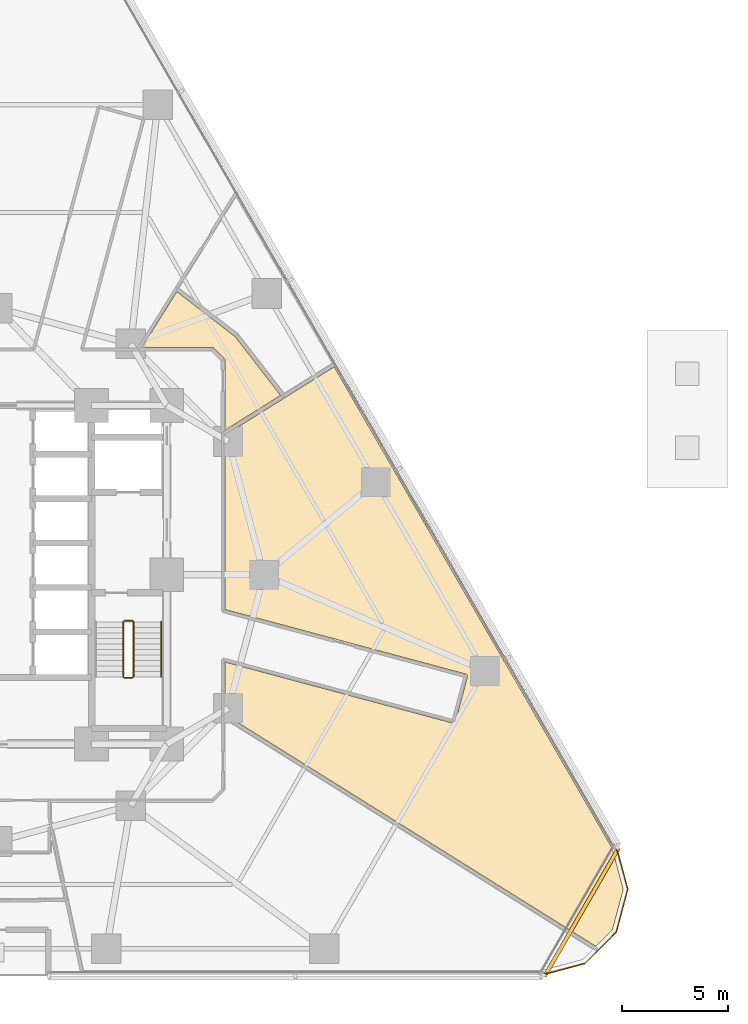
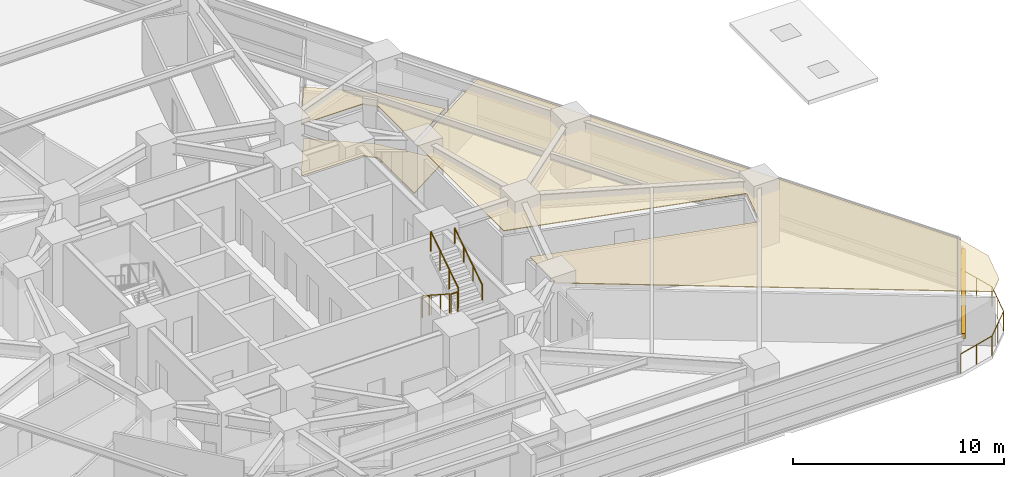
# One storey, part 15 of 16: 6 railings, 3 coverings, 1 shading device.
"""IFC4 building model written with IfcOpenShell, lengths in metres."""

from ifc_helpers import new_model, si_unit, direction, frame, origin, origin_2d, place, context, subcontext, project, spatial, polyline, rectangle, circle, outline, extrude, material, layer, layer_set, type_object, element, save


model = new_model("IFC4")

# Units and contexts
model_context = context("Model", 3, precision=1e-05, world=origin(), true_north=direction((0.0, 1.0)))
body_context = subcontext(model_context, "Body", "Model", "MODEL_VIEW")
ifc_project = project(units=[si_unit("LENGTHUNIT", "METRE"), si_unit("AREAUNIT", "SQUARE_METRE"), si_unit("VOLUMEUNIT", "CUBIC_METRE"), si_unit("PLANEANGLEUNIT", "RADIAN"), si_unit("MASSUNIT", "GRAM", prefix="KILO")], contexts=[model_context])

# Site, building, storey
site_placement = place(None, origin())
site = spatial("IfcSite", under=ifc_project, at=site_placement, CompositionType="ELEMENT")
building_placement = place(site_placement, origin())
building = spatial("IfcBuilding", under=site, at=building_placement, Name="Terralouvre Media Tower", CompositionType="ELEMENT")
storey_placement = place(building_placement, frame((0.0, 0.0, 29.699951171875)))
storey = spatial("IfcBuildingStorey", under=building, at=storey_placement, Name="L06", CompositionType="ELEMENT", Elevation=29.699951171875)

# Coverings
ifc_material_1 = material(Name="Resilient elastomer acoustic broadcast studio flooring")
ifc_layer_1 = layer(ifc_material_1, 0.050048828125, Name="Broadcast Studio Acoustic Floating Floor FL-AC1")
ifc_layer_set_1 = layer_set([ifc_layer_1], Name="Resilient elastomer acoustic broadcast studio flooring")
covering_type_1 = type_object("IfcCoveringType", Name="Broadcast Studio Acoustic Floating Floor FL-AC1", PredefinedType="FLOORING", material=ifc_layer_set_1)
covering_1_placement = place(storey_placement, origin())
element("IfcCovering", 1, at=covering_1_placement, inside=storey, type_object=covering_type_1, Name="L06 Live Feed Master Control Room 7 Acoustic Floating Floor", PredefinedType="FLOORING", context=body_context, shape_type="SweptSolid", body=[
    extrude(outline(polyline([(11.24267578125, 11.24267578125), (8.479248046875, 13.38134765625), (6.83544921875, 10.75), (10.14990234375, 10.75), (10.159912109375, 10.74951171875), (10.16943359375, 10.748046875), (10.178955078125, 10.74560546875), (10.188232421875, 10.742431640625), (10.197021484375, 10.73828125), (10.20556640625, 10.733154296875), (10.21337890625, 10.727294921875), (10.220703125, 10.720703125), (10.720703125, 10.220703125), (10.727294921875, 10.21337890625), (10.733154296875, 10.20556640625), (10.73828125, 10.197021484375), (10.742431640625, 10.188232421875), (10.74560546875, 10.178955078125), (10.748046875, 10.16943359375), (10.74951171875, 10.159912109375), (10.75, 10.14990234375), (10.75, 6.83544921875), (13.38134765625, 8.479248046875), (11.24267578125, 11.24267578125)])), origin(), (0.0, 0.0, 1.0), 0.050048828125),
])
ifc_material_2 = material(Name="Perforated aluminium acoustic ceiling baffle", Category="aluminium")
ifc_layer_2 = layer(ifc_material_2, 0.0400390625, Name="Perforated Acoustic Metal Tile Ceiling CL-AC1")
ifc_layer_set_2 = layer_set([ifc_layer_2], Name="Perforated aluminium acoustic ceiling baffle")
covering_type_2 = type_object("IfcCoveringType", Name="Perforated Acoustic Metal Tile Ceiling CL-AC1", PredefinedType="CEILING", material=ifc_layer_set_2)
covering_2_placement = place(storey_placement, frame((0.0, 0.0, 2.97998046875)))
element("IfcCovering", 2, at=covering_2_placement, inside=storey, type_object=covering_type_2, Name="L06 Live Wire Newsroom Open Office 1 Acoustic Ceiling", PredefinedType="CEILING", context=body_context, shape_type="SweptSolid", body=[
    extrude(outline(polyline([(10.75, 6.599609375), (10.75, -1.63818359375), (22.140869140625, -4.6904296875), (22.150146484375, -4.693359375), (22.1591796875, -4.697265625), (22.167724609375, -4.7021484375), (22.17578125, -4.707763671875), (22.183349609375, -4.714111328125), (22.190185546875, -4.72119140625), (22.1962890625, -4.728759765625), (22.20166015625, -4.737060546875), (22.2060546875, -4.74560546875), (22.209716796875, -4.7548828125), (22.21240234375, -4.764404296875), (22.214111328125, -4.77392578125), (22.21484375, -4.78369140625), (22.21484375, -4.793701171875), (22.213623046875, -4.80322265625), (22.211669921875, -4.81298828125), (21.6416015625, -6.93798828125), (21.638671875, -6.947265625), (21.634765625, -6.956298828125), (21.6298828125, -6.96484375), (21.624267578125, -6.972900390625), (21.617919921875, -6.98046875), (21.61083984375, -6.9873046875), (21.603271484375, -6.993408203125), (21.594970703125, -6.99853515625), (21.586181640625, -7.003173828125), (21.5771484375, -7.006591796875), (21.567626953125, -7.009521484375), (21.55810546875, -7.010986328125), (21.54833984375, -7.011962890625), (21.53857421875, -7.01171875), (21.52880859375, -7.0107421875), (21.51904296875, -7.008544921875), (10.75, -4.122314453125), (10.75, -6.599609375), (28.28271484375, -17.55517578125), (29.060302734375, -16.7783203125), (29.572509765625, -14.866943359375), (29.052734375, -12.926513671875), (15.915283203125, 9.827392578125), (13.5810546875, 8.3681640625), (10.75, 6.599609375)])), origin(), (0.0, 0.0, 1.0), 0.0400390625),
])
covering_3_placement = place(storey_placement, frame((0.0, 0.0, 2.97998046875)))
element("IfcCovering", 3, at=covering_3_placement, inside=storey, type_object=covering_type_2, Name="L06 Live Feed Master Control Room 7 Acoustic Ceiling", PredefinedType="CEILING", context=body_context, shape_type="SweptSolid", body=[
    extrude(outline(polyline([(11.24267578125, 11.24267578125), (8.479248046875, 13.38134765625), (6.83544921875, 10.75), (10.14990234375, 10.75), (10.159912109375, 10.74951171875), (10.16943359375, 10.748046875), (10.178955078125, 10.74560546875), (10.188232421875, 10.742431640625), (10.197021484375, 10.73828125), (10.20556640625, 10.733154296875), (10.21337890625, 10.727294921875), (10.220703125, 10.720703125), (10.720703125, 10.220703125), (10.727294921875, 10.21337890625), (10.733154296875, 10.20556640625), (10.73828125, 10.197021484375), (10.742431640625, 10.188232421875), (10.74560546875, 10.178955078125), (10.748046875, 10.16943359375), (10.74951171875, 10.159912109375), (10.75, 10.14990234375), (10.75, 6.83544921875), (13.38134765625, 8.479248046875), (11.24267578125, 11.24267578125)])), origin(), (0.0, 0.0, 1.0), 0.0400390625),
])

# Railings
ifc_material_3 = material(Name="Stainless steel 316 handrail and balustrade", Category="steel")
ifc_layer_3 = layer(ifc_material_3, 0.06005859375, Name="Roof Edge Safety Guardrail GR-ROOF1")
ifc_layer_set_3 = layer_set([ifc_layer_3], Name="Stainless steel 316 handrail and balustrade")
railing_type_1 = type_object("IfcRailingType", Name="Roof Edge Safety Guardrail GR-ROOF1", PredefinedType="GUARDRAIL", material=ifc_layer_set_3)
railing_1_placement = place(storey_placement, frame((25.73779296875, -18.907958984375, 0.0)))
element("IfcRailing", 4, at=railing_1_placement, inside=storey, type_object=railing_type_1, Name="L06 Wind-Corner Perimeter Safety Guardrail C1", PredefinedType="GUARDRAIL", context=body_context, shape_type="SweptSolid", body=[
    extrude(circle(Radius=0.02099609375, at=origin_2d()), frame((0.0, 0.0, 1.12890625), z_axis=(0.965987029675, 0.258590522836, 0.0), x_axis=(-0.258590522836, 0.965987029675, 0.0)), (0.0, 0.0, 1.0), 2.095947265625),
    extrude(circle(Radius=0.02099609375, at=origin_2d()), frame((2.024658203125, 0.5419921875, 1.12890625), z_axis=(0.707165029613, 0.707048527961, 0.0), x_axis=(-0.707048527961, 0.707165029613, 0.0)), (0.0, 0.0, 1.0), 2.095703125),
    extrude(circle(Radius=0.02099609375, at=origin_2d()), frame((3.506591796875, 2.023681640625, 1.12890625), z_axis=(0.258757438042, 0.965942331745, 0.0), x_axis=(-0.965942331745, 0.258757438042, 0.0)), (0.0, 0.0, 1.0), 2.095458984375),
    extrude(circle(Radius=0.02099609375, at=origin_2d()), frame((4.048828125, 4.0478515625, 1.12890625), z_axis=(-0.259054358605, 0.965862743503, 0.0), x_axis=(-0.965862743503, -0.259054358605, 0.0)), (0.0, 0.0, 1.0), 2.095947265625),
    extrude(circle(Radius=0.01904296875, at=origin_2d()), origin(), (0.0, 0.0, 1.0), 1.10791015625),
    extrude(circle(Radius=0.01904296875, at=origin_2d()), frame((1.01220703125, 0.27099609375, 0.0)), (0.0, 0.0, 1.0), 1.10791015625),
    extrude(circle(Radius=0.01904296875, at=origin_2d()), frame((2.024658203125, 0.5419921875, 0.0)), (0.0, 0.0, 1.0), 1.10791015625),
    extrude(circle(Radius=0.01904296875, at=origin_2d()), frame((2.765625, 1.28271484375, 0.0)), (0.0, 0.0, 1.0), 1.10791015625),
    extrude(circle(Radius=0.01904296875, at=origin_2d()), frame((3.506591796875, 2.023681640625, 0.0)), (0.0, 0.0, 1.0), 1.10791015625),
    extrude(circle(Radius=0.01904296875, at=origin_2d()), frame((3.77783203125, 3.03564453125, 0.0)), (0.0, 0.0, 1.0), 1.10791015625),
    extrude(circle(Radius=0.01904296875, at=origin_2d()), frame((4.048828125, 4.0478515625, 0.0)), (0.0, 0.0, 1.0), 1.10791015625),
    extrude(circle(Radius=0.01904296875, at=origin_2d()), frame((3.77734375, 5.06005859375, 0.0)), (0.0, 0.0, 1.0), 1.10791015625),
    extrude(circle(Radius=0.01904296875, at=origin_2d()), frame((3.505859375, 6.072265625, 0.0)), (0.0, 0.0, 1.0), 1.10791015625),
])
ifc_material_4 = material(Name="Stainless steel 316 handrail and balustrade", Category="steel")
ifc_layer_4 = layer(ifc_material_4, 0.050048828125, Name="Stair Flight Wall Handrail HR-INT1")
ifc_layer_set_4 = layer_set([ifc_layer_4], Name="Stainless steel 316 handrail and balustrade")
railing_type_2 = type_object("IfcRailingType", Name="Stair Flight Wall Handrail HR-INT1", PredefinedType="HANDRAIL", material=ifc_layer_set_4)
railing_2_placement = place(storey_placement, frame((7.72998046875, -4.820068359375, 2.018310546875)))
element("IfcRailing", 5, at=railing_2_placement, inside=storey, type_object=railing_type_2, Name="L06 ST-02 stair handrail 2", PredefinedType="HANDRAIL", context=body_context, shape_type="SweptSolid", body=[
    extrude(circle(Radius=0.02392578125, at=origin_2d()), frame((0.0, 0.0, 0.8759765625), z_axis=(0.0, 0.839684365666, 0.543074733399), x_axis=(-1.0, 0.0, 0.0)), (0.0, 0.0, 1.0), 3.096435546875),
    extrude(circle(Radius=0.02099609375, at=origin_2d()), origin(), (0.0, 0.0, 1.0), 0.851806640625),
    extrude(circle(Radius=0.02099609375, at=origin_2d()), frame((0.0, 0.86669921875, 0.560546875)), (0.0, 0.0, 1.0), 0.851806640625),
    extrude(circle(Radius=0.02099609375, at=origin_2d()), frame((0.0, 1.7333984375, 1.12109375)), (0.0, 0.0, 1.0), 0.851806640625),
    extrude(circle(Radius=0.02099609375, at=origin_2d()), frame((0.0, 2.60009765625, 1.681640625)), (0.0, 0.0, 1.0), 0.851806640625),
])
ifc_material_5 = material(Name="Stainless steel 316 handrail and balustrade", Category="steel")
ifc_layer_5 = layer(ifc_material_5, 0.050048828125, Name="Stairwell Safety Guardrail GR-INT1")
ifc_layer_set_5 = layer_set([ifc_layer_5], Name="Stainless steel 316 handrail and balustrade")
railing_type_3 = type_object("IfcRailingType", Name="Stairwell Safety Guardrail GR-INT1", PredefinedType="GUARDRAIL", material=ifc_layer_set_5)
railing_3_placement = place(storey_placement, frame((5.949951171875, -2.219970703125, 0.168212890625)))
element("IfcRailing", 6, at=railing_3_placement, inside=storey, type_object=railing_type_3, Name="L06 ST-02 stair guard 1", PredefinedType="GUARDRAIL", context=body_context, shape_type="SweptSolid", body=[
    extrude(circle(Radius=0.02392578125, at=origin_2d()), frame((0.0, 0.0, 1.1259765625), z_axis=(0.0, -0.839648411786, 0.543130320075), x_axis=(1.0, 0.0, 0.0)), (0.0, 0.0, 1.0), 3.0966796875),
    extrude(circle(Radius=0.02099609375, at=origin_2d()), origin(), (0.0, 0.0, 1.0), 1.101806640625),
    extrude(circle(Radius=0.02099609375, at=origin_2d()), frame((0.0, -0.86669921875, 0.560546875)), (0.0, 0.0, 1.0), 1.101806640625),
    extrude(circle(Radius=0.02099609375, at=origin_2d()), frame((0.0, -1.7333984375, 1.121337890625)), (0.0, 0.0, 1.0), 1.101806640625),
    extrude(circle(Radius=0.02099609375, at=origin_2d()), frame((0.0, -2.60009765625, 1.681884765625)), (0.0, 0.0, 1.0), 1.101806640625),
])
railing_4_placement = place(storey_placement, frame((6.0, -4.8701171875, 1.85009765625)))
element("IfcRailing", 7, at=railing_4_placement, inside=storey, type_object=railing_type_3, Name="L06 ST-02 stair guard 2", PredefinedType="GUARDRAIL", context=body_context, shape_type="SweptSolid", body=[
    extrude(circle(Radius=0.02392578125, at=origin_2d()), frame((0.0, 0.0, 1.1259765625), z_axis=(1.0, 0.0, 0.0), x_axis=(0.0, 1.0, 0.0)), (0.0, 0.0, 1.0), 0.3798828125),
    extrude(circle(Radius=0.02099609375, at=origin_2d()), origin(), (0.0, 0.0, 1.0), 1.101806640625),
    extrude(circle(Radius=0.02099609375, at=origin_2d()), frame((0.3798828125, 0.0, 0.0)), (0.0, 0.0, 1.0), 1.101806640625),
])
railing_5_placement = place(storey_placement, frame((6.429931640625, -4.820068359375, 2.018310546875)))
element("IfcRailing", 8, at=railing_5_placement, inside=storey, type_object=railing_type_3, Name="L06 ST-02 stair guard 3", PredefinedType="GUARDRAIL", context=body_context, shape_type="SweptSolid", body=[
    extrude(circle(Radius=0.02392578125, at=origin_2d()), frame((0.0, 0.0, 1.1259765625), z_axis=(0.0, 0.839684365666, 0.543074733399), x_axis=(-1.0, 0.0, 0.0)), (0.0, 0.0, 1.0), 3.096435546875),
    extrude(circle(Radius=0.02099609375, at=origin_2d()), origin(), (0.0, 0.0, 1.0), 1.101806640625),
    extrude(circle(Radius=0.02099609375, at=origin_2d()), frame((0.0, 0.86669921875, 0.560546875)), (0.0, 0.0, 1.0), 1.101806640625),
    extrude(circle(Radius=0.02099609375, at=origin_2d()), frame((0.0, 1.7333984375, 1.12109375)), (0.0, 0.0, 1.0), 1.101806640625),
    extrude(circle(Radius=0.02099609375, at=origin_2d()), frame((0.0, 2.60009765625, 1.681640625)), (0.0, 0.0, 1.0), 1.101806640625),
])
railing_6_placement = place(storey_placement, frame((6.0, -2.169921875, 0.0)))
element("IfcRailing", 9, at=railing_6_placement, inside=storey, type_object=railing_type_3, Name="L06 ST-02 stair guard 4", PredefinedType="GUARDRAIL", context=body_context, shape_type="SweptSolid", body=[
    extrude(circle(Radius=0.02392578125, at=origin_2d()), frame((0.0, 0.0, 1.1259765625), z_axis=(1.0, 0.0, 0.0), x_axis=(0.0, 1.0, 0.0)), (0.0, 0.0, 1.0), 0.3798828125),
    extrude(circle(Radius=0.02099609375, at=origin_2d()), origin(), (0.0, 0.0, 1.0), 1.101806640625),
    extrude(circle(Radius=0.02099609375, at=origin_2d()), frame((0.3798828125, 0.0, 0.0)), (0.0, 0.0, 1.0), 1.101806640625),
])

# Shading device
ifc_material_6 = material(Name="Extruded terracotta baguette sunshade louvres", Category="masonry")
shading_device_type = type_object("IfcShadingDeviceType", Name="Terracotta Baguette Sunshade Louvre Screen TB-LV1", PredefinedType="USERDEFINED", material=ifc_material_6)
shading_device_placement = place(storey_placement, frame((27.607666015625, -15.939208984375, 2.02392578125), z_axis=(0.0, 0.0, 1.0), x_axis=(0.499999691503, 0.866025581895, 0.0)))
element("IfcShadingDevice", 10, at=shading_device_placement, inside=storey, type_object=shading_device_type, Name="CW-L06-C1 Terracotta Baguette Sunshade Louvre", ObjectType="BAGUETTE", PredefinedType="USERDEFINED", context=body_context, shape_type="SweptSolid", body=[
    extrude(rectangle(XDim=7.014892578125, YDim=0.179931640625, at=origin_2d()), origin(), (0.0, 0.0, 1.0), 0.280029296875),
])

save(model, "model.ifc")
